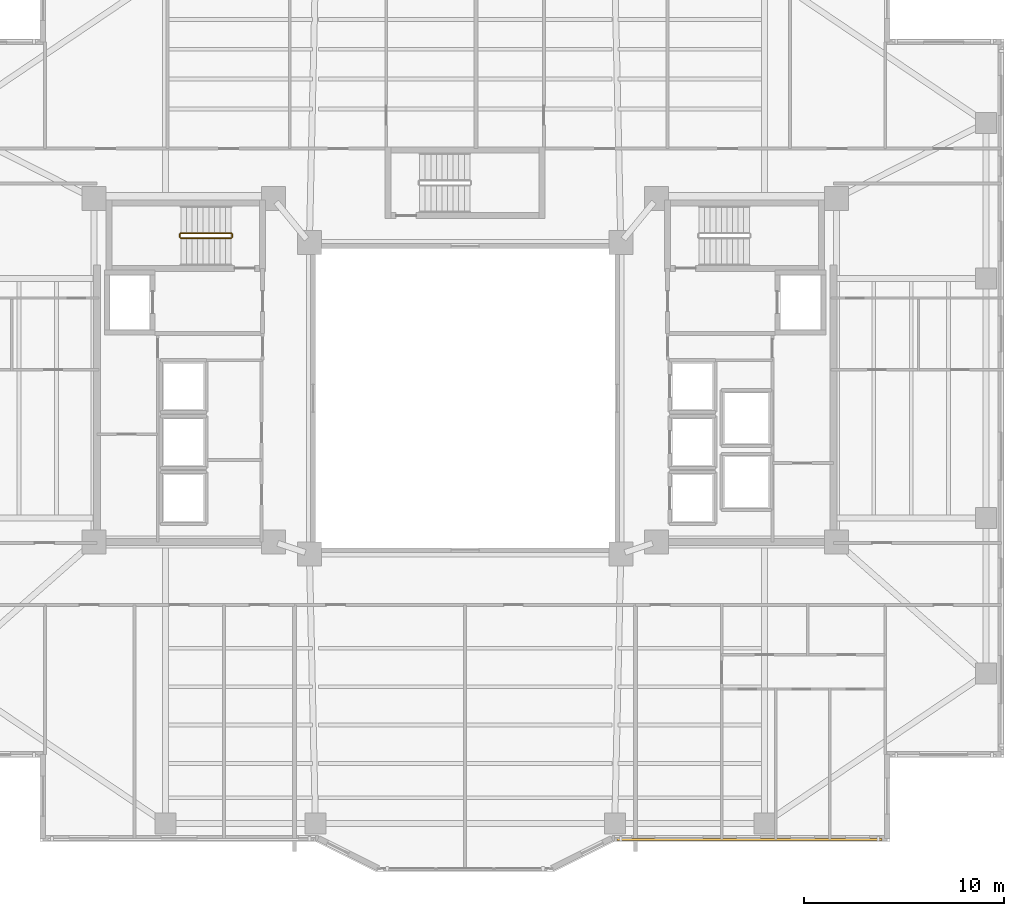
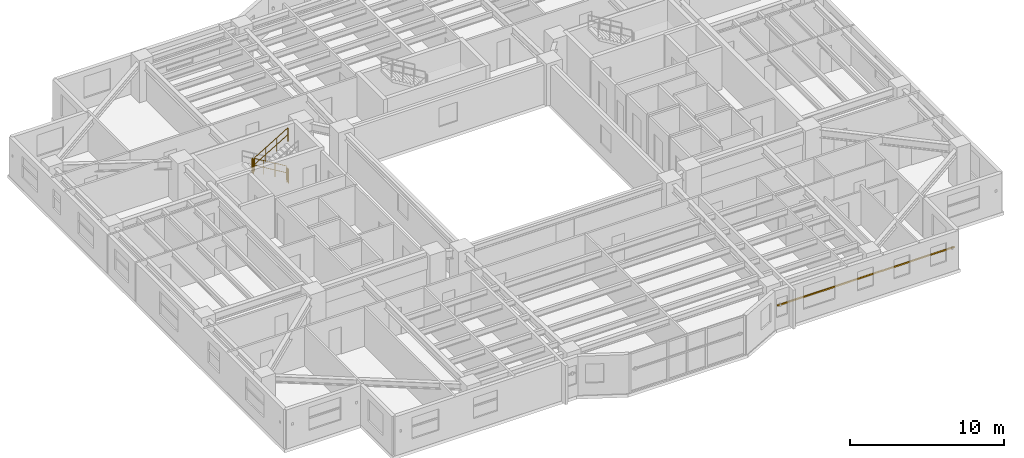
# One storey, part 15 of 18: 4 railings, 1 shading device.
"""IFC4 building model written with IfcOpenShell, lengths in metres."""

from ifc_helpers import new_model, si_unit, direction, frame, origin, origin_2d, place, context, subcontext, project, spatial, rectangle, circle, extrude, material, material_profile, profile_set, type_object, element, save


model = new_model("IFC4")

# Units and contexts
model_context = context("Model", 3, precision=1e-05, world=origin(), true_north=direction((0.0, 1.0)))
body_context = subcontext(model_context, "Body", "Model", "MODEL_VIEW")
ifc_project = project(units=[si_unit("LENGTHUNIT", "METRE"), si_unit("AREAUNIT", "SQUARE_METRE"), si_unit("VOLUMEUNIT", "CUBIC_METRE"), si_unit("PLANEANGLEUNIT", "RADIAN"), si_unit("MASSUNIT", "GRAM", prefix="KILO")], contexts=[model_context])

# Site, building, storey
site_placement = place(None, origin())
site = spatial("IfcSite", under=ifc_project, at=site_placement, CompositionType="ELEMENT")
building_placement = place(site_placement, origin())
building = spatial("IfcBuilding", under=site, at=building_placement, Name="Tarnavaz Court Tower", CompositionType="ELEMENT")
storey_placement = place(building_placement, frame((0.0, 0.0, 108.449951171875)))
storey = spatial("IfcBuildingStorey", under=building, at=storey_placement, Name="L29", CompositionType="ELEMENT", Elevation=108.449951171875)

# Railings
ifc_material_1 = material(Name="Galvanized Painted Tubular Steel", Category="steel")
railing_type = type_object("IfcRailingType", Name="RL-STGUARD-1120", PredefinedType="GUARDRAIL", material=ifc_material_1)
railing_1_placement = place(storey_placement, frame((-11.719970703125, 8.27001953125, 0.16748046875)))
element("IfcRailing", 1, at=railing_1_placement, inside=storey, type_object=railing_type, Name="L29 ST-W1 stair guard 1", PredefinedType="GUARDRAIL", context=body_context, shape_type="SweptSolid", body=[
    extrude(circle(Radius=0.02392578125, at=origin_2d()), frame((0.0, 0.0, 1.09619140625), z_axis=(-0.858159760407, 0.0, 0.513382728203), x_axis=(0.0, -1.0, 0.0)), (0.0, 0.0, 1.0), 2.9365234375),
    extrude(circle(Radius=0.02392578125, at=origin_2d()), frame((0.0, 0.0, 0.56005859375), z_axis=(-0.858159760407, 0.0, 0.513382728203), x_axis=(0.0, -1.0, 0.0)), (0.0, 0.0, 1.0), 2.9365234375),
    extrude(circle(Radius=0.02099609375, at=origin_2d()), origin(), (0.0, 0.0, 1.0), 1.072021484375),
    extrude(circle(Radius=0.02099609375, at=origin_2d()), frame((-0.840087890625, 0.0, 0.50244140625)), (0.0, 0.0, 1.0), 1.072021484375),
    extrude(circle(Radius=0.02099609375, at=origin_2d()), frame((-1.679931640625, 0.0, 1.005126953125)), (0.0, 0.0, 1.0), 1.072021484375),
    extrude(circle(Radius=0.02099609375, at=origin_2d()), frame((-2.52001953125, 0.0, 1.507568359375)), (0.0, 0.0, 1.0), 1.072021484375),
])
railing_2_placement = place(storey_placement, frame((-14.2900390625, 8.219970703125, 1.675048828125)))
element("IfcRailing", 2, at=railing_2_placement, inside=storey, type_object=railing_type, Name="L29 ST-W1 stair guard 2", PredefinedType="GUARDRAIL", context=body_context, shape_type="SweptSolid", body=[
    extrude(circle(Radius=0.02392578125, at=origin_2d()), frame((0.0, 0.0, 1.09619140625), z_axis=(0.0, -1.0, 0.0), x_axis=(1.0, 0.0, 0.0)), (0.0, 0.0, 1.0), 0.14990234375),
    extrude(circle(Radius=0.02392578125, at=origin_2d()), frame((0.0, 0.0, 0.56005859375), z_axis=(0.0, -1.0, 0.0), x_axis=(1.0, 0.0, 0.0)), (0.0, 0.0, 1.0), 0.14990234375),
    extrude(circle(Radius=0.02099609375, at=origin_2d()), origin(), (0.0, 0.0, 1.0), 1.072021484375),
    extrude(circle(Radius=0.02099609375, at=origin_2d()), frame((0.0, -0.14990234375, 0.0)), (0.0, 0.0, 1.0), 1.072021484375),
])
railing_3_placement = place(storey_placement, frame((-14.239990234375, 8.02001953125, 1.842529296875)))
element("IfcRailing", 3, at=railing_3_placement, inside=storey, type_object=railing_type, Name="L29 ST-W1 stair guard 3", PredefinedType="GUARDRAIL", context=body_context, shape_type="SweptSolid", body=[
    extrude(circle(Radius=0.02392578125, at=origin_2d()), frame((0.0, 0.0, 1.09619140625), z_axis=(0.858159760407, 0.0, 0.513382728203), x_axis=(0.0, 1.0, 0.0)), (0.0, 0.0, 1.0), 2.9365234375),
    extrude(circle(Radius=0.02392578125, at=origin_2d()), frame((0.0, 0.0, 0.56005859375), z_axis=(0.858159760407, 0.0, 0.513382728203), x_axis=(0.0, 1.0, 0.0)), (0.0, 0.0, 1.0), 2.9365234375),
    extrude(circle(Radius=0.02099609375, at=origin_2d()), origin(), (0.0, 0.0, 1.0), 1.072021484375),
    extrude(circle(Radius=0.02099609375, at=origin_2d()), frame((0.840087890625, 0.0, 0.50244140625)), (0.0, 0.0, 1.0), 1.072021484375),
    extrude(circle(Radius=0.02099609375, at=origin_2d()), frame((1.679931640625, 0.0, 1.005126953125)), (0.0, 0.0, 1.0), 1.072021484375),
    extrude(circle(Radius=0.02099609375, at=origin_2d()), frame((2.52001953125, 0.0, 1.507568359375)), (0.0, 0.0, 1.0), 1.072021484375),
])
railing_4_placement = place(storey_placement, frame((-11.669921875, 8.219970703125, 0.0)))
element("IfcRailing", 4, at=railing_4_placement, inside=storey, type_object=railing_type, Name="L29 ST-W1 stair guard 4", PredefinedType="GUARDRAIL", context=body_context, shape_type="SweptSolid", body=[
    extrude(circle(Radius=0.02392578125, at=origin_2d()), frame((0.0, 0.0, 1.09619140625), z_axis=(0.0, -1.0, 0.0), x_axis=(1.0, 0.0, 0.0)), (0.0, 0.0, 1.0), 0.14990234375),
    extrude(circle(Radius=0.02392578125, at=origin_2d()), frame((0.0, 0.0, 0.56005859375), z_axis=(0.0, -1.0, 0.0), x_axis=(1.0, 0.0, 0.0)), (0.0, 0.0, 1.0), 0.14990234375),
    extrude(circle(Radius=0.02099609375, at=origin_2d()), origin(), (0.0, 0.0, 1.0), 1.072021484375),
    extrude(circle(Radius=0.02099609375, at=origin_2d()), frame((0.0, -0.14990234375, 0.0)), (0.0, 0.0, 1.0), 1.072021484375),
])

# Shading device
ifc_material_2 = material(Name="Kiln-Fired Khorasan Terracotta Ceramic", Category="masonry")
ifc_material_profile = material_profile(ifc_material_2, rectangle(XDim=0.1201171875, YDim=0.06005859375, at=origin_2d()), Name="TC BAGUETTE 120X60")
ifc_profile_set = profile_set([ifc_material_profile], Name="Kiln-Fired Khorasan Terracotta Ceramic")
shading_device_type = type_object("IfcShadingDeviceType", Name="SD-BAG-120", PredefinedType="USERDEFINED", material=ifc_profile_set)
shading_device_placement = place(storey_placement, frame((20.89990234375, -22.110107421875, 1.85009765625), z_axis=(-1.0, 0.0, 0.0), x_axis=(0.0, -1.0, 0.0)))
element("IfcShadingDevice", 5, at=shading_device_placement, inside=storey, type_object=shading_device_type, Name="L29 Terracotta Baguette Screen FBG15", ObjectType="BAGUETTE", PredefinedType="USERDEFINED", context=body_context, shape_type="SweptSolid", body=[
    extrude(rectangle(XDim=0.1201171875, YDim=0.06005859375, at=origin_2d()), origin(), (0.0, 0.0, 1.0), 13.2998046875),
])

save(model, "model.ifc")
